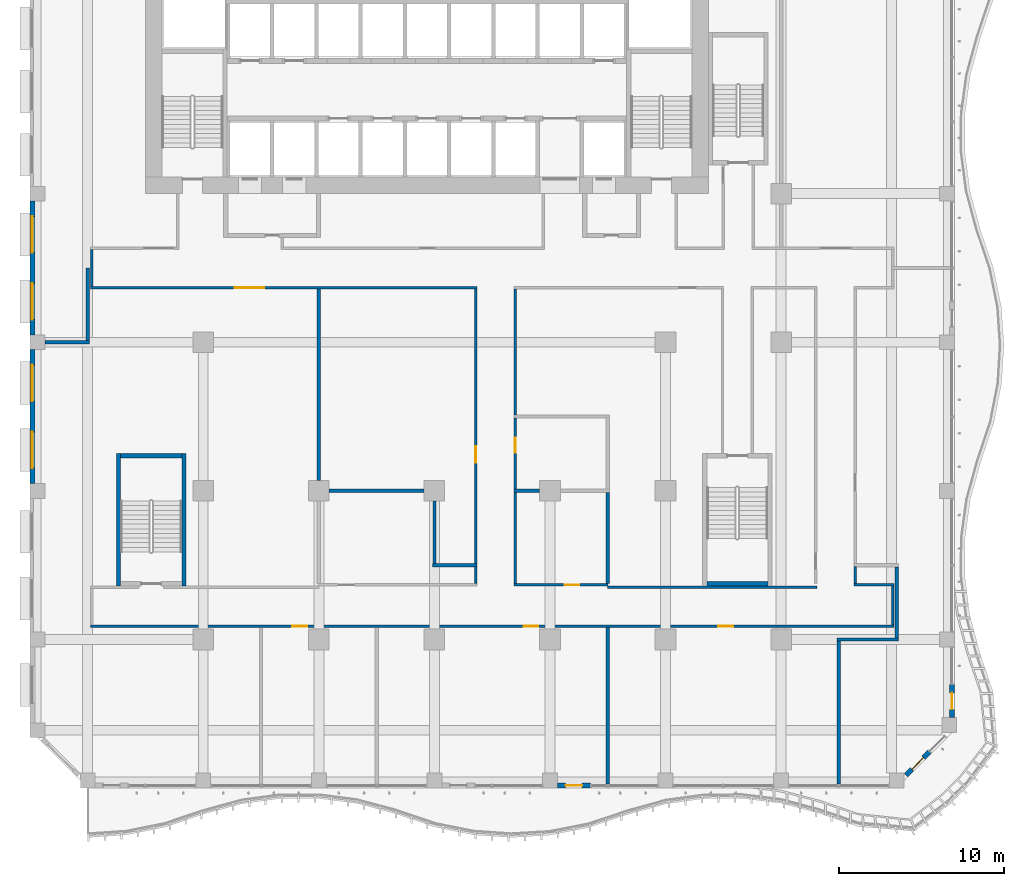
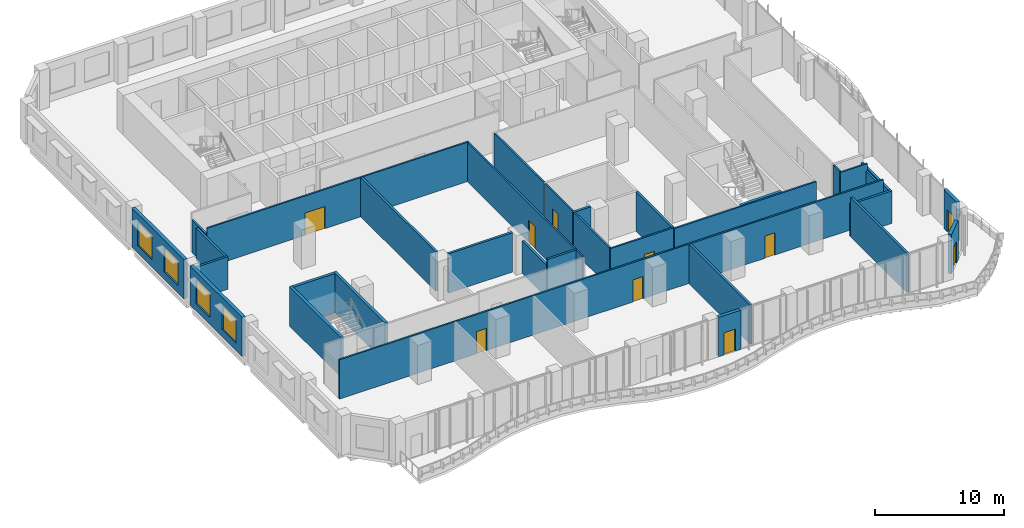
# One storey, part 12 of 26: 34 walls, 10 doors, 4 windows, 14 openings.
"""IFC4 building model written with IfcOpenShell, lengths in metres."""

from ifc_helpers import new_model, si_unit, direction, frame, frame_2d, origin, place, context, subcontext, project, spatial, rectangle, extrude, source, transform, mapped, material, layer, layer_set, type_object, element, fill, save


model = new_model("IFC4")

# Units and contexts
model_context = context("Model", 3, precision=1e-05, world=origin(), true_north=direction((0.0, 1.0)))
body_context = subcontext(model_context, "Body", "Model", "MODEL_VIEW")
ifc_project = project(units=[si_unit("LENGTHUNIT", "METRE"), si_unit("AREAUNIT", "SQUARE_METRE"), si_unit("VOLUMEUNIT", "CUBIC_METRE"), si_unit("PLANEANGLEUNIT", "RADIAN"), si_unit("MASSUNIT", "GRAM", prefix="KILO")], contexts=[model_context])

# Site, building, storey
site_placement = place(None, origin())
site = spatial("IfcSite", under=ifc_project, at=site_placement, CompositionType="ELEMENT")
building_placement = place(site_placement, origin())
building = spatial("IfcBuilding", under=site, at=building_placement, Name="Kilnfold Tower and Market Hall", CompositionType="ELEMENT")
storey_placement = place(building_placement, frame((0.0, 0.0, 83.199951171875)))
storey = spatial("IfcBuildingStorey", under=building, at=storey_placement, Name="L19", CompositionType="ELEMENT", Elevation=83.199951171875)

# Wall, openings, doors
ifc_material_1 = material(Name="Gypsum board on steel studs", Category="steel")
ifc_layer_1 = layer(ifc_material_1, 0.14990234375)
ifc_layer_set_1 = layer_set([ifc_layer_1], Name="Gypsum board on steel studs")
wall_type_1 = type_object("IfcWallType", Name="WALL CORRIDOR 150", PredefinedType="PARTITIONING", material=ifc_layer_set_1)
wall_1_placement = place(storey_placement, frame((-19.324951171875, -18.199951171875, 0.0), z_axis=(0.0, 0.0, 1.0), x_axis=(1.0, 0.0, 0.0)))
wall_1 = element("IfcWall", 1, at=wall_1_placement, inside=storey, type_object=wall_type_1, Name="Partition LY13.1", PredefinedType="PARTITIONING", context=body_context, shape_type="SweptSolid", body=[
    extrude(rectangle(XDim=48.64990234375, YDim=0.14990234375, at=frame_2d((24.324951171875, 0.0))), origin(), (0.0, 0.0, 1.0), 3.719970703125),
])
opening_1_placement = place(wall_1_placement, frame((12.220947265625, 0.0, 0.0)))
opening_1 = element("IfcOpeningElement", 2, at=opening_1_placement, cuts=wall_1, Name="Opening D3", PredefinedType="OPENING", context=body_context, shape_type="SweptSolid", body=[
    extrude(rectangle(XDim=0.89990234375, YDim=2.10009765625, at=frame_2d((0.449951171875, 1.050048828125))), frame((0.0, 0.0849609375, 0.0), z_axis=(0.0, -1.0, 0.0), x_axis=(1.0, 0.0, 0.0)), (0.0, 0.0, 1.0), 0.169921875),
])
opening_2_placement = place(wall_1_placement, frame((26.22900390625, 0.0, 0.0)))
opening_2 = element("IfcOpeningElement", 3, at=opening_2_placement, cuts=wall_1, Name="Opening D2", PredefinedType="OPENING", context=body_context, shape_type="SweptSolid", body=[
    extrude(rectangle(XDim=0.89990234375, YDim=2.10009765625, at=frame_2d((0.449951171875, 1.050048828125))), frame((0.0, 0.0849609375, 0.0), z_axis=(0.0, -1.0, 0.0), x_axis=(1.0, 0.0, 0.0)), (0.0, 0.0, 1.0), 0.169921875),
])
opening_3_placement = place(wall_1_placement, frame((38.029052734375, 0.0, 0.0)))
opening_3 = element("IfcOpeningElement", 4, at=opening_3_placement, cuts=wall_1, Name="Opening D2", PredefinedType="OPENING", context=body_context, shape_type="SweptSolid", body=[
    extrude(rectangle(XDim=0.89990234375, YDim=2.10009765625, at=frame_2d((0.449951171875, 1.050048828125))), frame((0.0, 0.0849609375, 0.0), z_axis=(0.0, -1.0, 0.0), x_axis=(1.0, 0.0, 0.0)), (0.0, 0.0, 1.0), 0.169921875),
])
ifc_material_2 = material(Name="Timber veneer door leaf in steel frame", Category="steel")
door_type_1 = type_object("IfcDoorType", Name="DOOR ROOM 900 X2100", OperationType="NOTDEFINED", PredefinedType="DOOR", material=ifc_material_2)
door_1_placement = place(opening_2_placement, origin())
door_1 = element("IfcDoor", 5, at=door_1_placement, inside=storey, type_object=door_type_1, Name="Door D2", OperationType="SINGLE_SWING_RIGHT", OverallHeight=2.10009765625, OverallWidth=0.89990234375, PredefinedType="DOOR", context=body_context, shape_type="SweptSolid", body=[
    extrude(rectangle(XDim=0.89990234375, YDim=2.10009765625, at=frame_2d((0.449951171875, 1.050048828125))), frame((0.0, 0.02490234375, 0.0), z_axis=(0.0, -1.0, 0.0), x_axis=(1.0, 0.0, 0.0)), (0.0, 0.0, 1.0), 0.050048828125),
])
fill(opening_2, door_1)
door_2_placement = place(opening_3_placement, origin())
door_2 = element("IfcDoor", 6, at=door_2_placement, inside=storey, type_object=door_type_1, Name="Door D2", OperationType="SINGLE_SWING_RIGHT", OverallHeight=2.10009765625, OverallWidth=0.89990234375, PredefinedType="DOOR", context=body_context, shape_type="SweptSolid", body=[
    extrude(rectangle(XDim=0.89990234375, YDim=2.10009765625, at=frame_2d((0.449951171875, 1.050048828125))), frame((0.0, 0.02490234375, 0.0), z_axis=(0.0, -1.0, 0.0), x_axis=(1.0, 0.0, 0.0)), (0.0, 0.0, 1.0), 0.050048828125),
])
fill(opening_3, door_2)
ifc_material_3 = material(Name="Timber veneer door leaf in steel frame", Category="steel")
door_type_2 = type_object("IfcDoorType", Name="DOOR WC 900 X2100", OperationType="NOTDEFINED", PredefinedType="DOOR", material=ifc_material_3)
door_3_placement = place(opening_1_placement, origin())
door_3 = element("IfcDoor", 7, at=door_3_placement, inside=storey, type_object=door_type_2, Name="Door D3", OperationType="SINGLE_SWING_RIGHT", OverallHeight=2.10009765625, OverallWidth=0.89990234375, PredefinedType="DOOR", context=body_context, shape_type="SweptSolid", body=[
    extrude(rectangle(XDim=0.89990234375, YDim=2.10009765625, at=frame_2d((0.449951171875, 1.050048828125))), frame((0.0, 0.02490234375, 0.0), z_axis=(0.0, -1.0, 0.0), x_axis=(1.0, 0.0, 0.0)), (0.0, 0.0, 1.0), 0.050048828125),
])
fill(opening_1, door_3)

# Wall, opening, door
wall_2_placement = place(storey_placement, frame((-19.324951171875, 2.300048828125, 0.0), z_axis=(0.0, 0.0, 1.0), x_axis=(1.0, 0.0, 0.0)))
wall_2 = element("IfcWall", 8, at=wall_2_placement, inside=storey, type_object=wall_type_1, Name="Partition LY13.5", PredefinedType="PARTITIONING", context=body_context, shape_type="SweptSolid", body=[
    extrude(rectangle(XDim=23.39990234375, YDim=0.14990234375, at=frame_2d((11.699951171875, 0.0))), origin(), (0.0, 0.0, 1.0), 3.719970703125),
])
opening_4_placement = place(wall_2_placement, frame((8.72607421875, 0.0, 0.0)))
opening_4 = element("IfcOpeningElement", 9, at=opening_4_placement, cuts=wall_2, Name="Opening D5", PredefinedType="OPENING", context=body_context, shape_type="SweptSolid", body=[
    extrude(rectangle(XDim=1.800048828125, YDim=2.10009765625, at=frame_2d((0.89990234375, 1.050048828125))), frame((0.0, 0.0849609375, 0.0), z_axis=(0.0, -1.0, 0.0), x_axis=(1.0, 0.0, 0.0)), (0.0, 0.0, 1.0), 0.169921875),
])
ifc_material_4 = material(Name="Timber veneer door leaf in steel frame", Category="steel")
door_type_3 = type_object("IfcDoorType", Name="DOOR DOUBLE 1800 X2100", OperationType="NOTDEFINED", PredefinedType="DOOR", material=ifc_material_4)
door_4_placement = place(opening_4_placement, origin())
door_4 = element("IfcDoor", 10, at=door_4_placement, inside=storey, type_object=door_type_3, Name="Door D5", OperationType="DOUBLE_DOOR_SINGLE_SWING", OverallHeight=2.10009765625, OverallWidth=1.800048828125, PredefinedType="DOOR", context=body_context, shape_type="SweptSolid", body=[
    extrude(rectangle(XDim=1.800048828125, YDim=2.10009765625, at=frame_2d((0.89990234375, 1.050048828125))), frame((0.0, 0.02490234375, 0.0), z_axis=(0.0, -1.0, 0.0), x_axis=(1.0, 0.0, 0.0)), (0.0, 0.0, 1.0), 0.050048828125),
])
fill(opening_4, door_4)

# Walls
wall_3_placement = place(storey_placement, frame((-19.25, 2.375, 0.0), z_axis=(0.0, 0.0, 1.0), x_axis=(0.0, 1.0, 0.0)))
element("IfcWall", 11, at=wall_3_placement, inside=storey, type_object=wall_type_1, Name="Partition LY13.6", PredefinedType="PARTITIONING", context=body_context, shape_type="SweptSolid", body=[
    extrude(rectangle(XDim=2.25, YDim=0.14990234375, at=frame_2d((1.125, 0.0))), origin(), (0.0, 0.0, 1.0), 3.070068359375),
])
wall_4_placement = place(storey_placement, frame((4.0, -15.625, 0.0), z_axis=(0.0, 0.0, 1.0), x_axis=(0.0, 1.0, 0.0)))
element("IfcWall", 12, at=wall_4_placement, inside=storey, type_object=wall_type_1, Name="Partition LY13.13", PredefinedType="PARTITIONING", context=body_context, shape_type="SweptSolid", body=[
    extrude(rectangle(XDim=1.034912109375, YDim=0.14990234375, at=frame_2d((0.517578125, 0.0))), origin(), (0.0, 0.0, 1.0), 3.719970703125),
])

# Wall, opening, door
wall_5_placement = place(storey_placement, frame((4.0, -14.409912109375, 0.0), z_axis=(0.0, 0.0, 1.0), x_axis=(0.0, 1.0, 0.0)))
wall_5 = element("IfcWall", 13, at=wall_5_placement, inside=storey, type_object=wall_type_1, Name="Partition LY13.14", PredefinedType="PARTITIONING", context=body_context, shape_type="SweptSolid", body=[
    extrude(rectangle(XDim=16.635009765625, YDim=0.14990234375, at=frame_2d((8.3173828125, 0.0))), origin(), (0.0, 0.0, 1.0), 3.719970703125),
])
opening_5_placement = place(wall_5_placement, frame((6.114013671875, 0.0, 0.0)))
opening_5 = element("IfcOpeningElement", 14, at=opening_5_placement, cuts=wall_5, Name="Opening D1", PredefinedType="OPENING", context=body_context, shape_type="SweptSolid", body=[
    extrude(rectangle(XDim=1.0, YDim=2.10009765625, at=frame_2d((0.5, 1.050048828125))), frame((0.0, 0.0849609375, 0.0), z_axis=(0.0, -1.0, 0.0), x_axis=(1.0, 0.0, 0.0)), (0.0, 0.0, 1.0), 0.169921875),
])
ifc_material_5 = material(Name="Timber veneer door leaf in steel frame", Category="steel")
door_type_4 = type_object("IfcDoorType", Name="DOOR ENTRY 1000 X2100", OperationType="NOTDEFINED", PredefinedType="DOOR", material=ifc_material_5)
door_5_placement = place(opening_5_placement, origin())
door_5 = element("IfcDoor", 15, at=door_5_placement, inside=storey, type_object=door_type_4, Name="Door D1", OperationType="SINGLE_SWING_RIGHT", OverallHeight=2.10009765625, OverallWidth=1.0, PredefinedType="DOOR", context=body_context, shape_type="SweptSolid", body=[
    extrude(rectangle(XDim=1.0, YDim=2.10009765625, at=frame_2d((0.5, 1.050048828125))), frame((0.0, 0.02490234375, 0.0), z_axis=(0.0, -1.0, 0.0), x_axis=(1.0, 0.0, 0.0)), (0.0, 0.0, 1.0), 0.050048828125),
])
fill(opening_5, door_5)

# Walls
wall_6_placement = place(storey_placement, frame((27.0, -15.625, 0.0), z_axis=(0.0, 0.0, 1.0), x_axis=(0.0, 1.0, 0.0)))
element("IfcWall", 16, at=wall_6_placement, inside=storey, type_object=wall_type_1, Name="Partition LY13.15", PredefinedType="PARTITIONING", context=body_context, shape_type="SweptSolid", body=[
    extrude(rectangle(XDim=1.034912109375, YDim=0.14990234375, at=frame_2d((0.517578125, 0.0))), origin(), (0.0, 0.0, 1.0), 3.719970703125),
])
wall_7_placement = place(storey_placement, frame((26.925048828125, -15.699951171875, 0.0), z_axis=(0.0, 0.0, 1.0), x_axis=(1.0, 0.0, 0.0)))
element("IfcWall", 17, at=wall_7_placement, inside=storey, type_object=wall_type_1, Name="Partition LY13.16", PredefinedType="PARTITIONING", context=body_context, shape_type="SweptSolid", body=[
    extrude(rectangle(XDim=2.39990234375, YDim=0.14990234375, at=frame_2d((1.199951171875, 0.0))), origin(), (0.0, 0.0, 1.0), 3.719970703125),
])
wall_8_placement = place(storey_placement, frame((29.25, -18.125, 0.0), z_axis=(0.0, 0.0, 1.0), x_axis=(0.0, 1.0, 0.0)))
element("IfcWall", 18, at=wall_8_placement, inside=storey, type_object=wall_type_1, Name="Partition LY13.17", PredefinedType="PARTITIONING", context=body_context, shape_type="SweptSolid", body=[
    extrude(rectangle(XDim=2.35009765625, YDim=0.14990234375, at=frame_2d((1.175048828125, 0.0))), origin(), (0.0, 0.0, 1.0), 3.070068359375),
])
wall_9_placement = place(storey_placement, frame((6.39990234375, -15.625, 0.0), z_axis=(0.0, 0.0, 1.0), x_axis=(0.0, 1.0, 0.0)))
element("IfcWall", 19, at=wall_9_placement, inside=storey, type_object=wall_type_1, Name="Partition LY13.18", PredefinedType="PARTITIONING", context=body_context, shape_type="SweptSolid", body=[
    extrude(rectangle(XDim=5.534912109375, YDim=0.14990234375, at=frame_2d((2.767578125, 0.0))), origin(), (0.0, 0.0, 1.0), 3.719970703125),
])

# Wall, opening, door
wall_10_placement = place(storey_placement, frame((6.324951171875, -15.699951171875, 0.0), z_axis=(0.0, 0.0, 1.0), x_axis=(1.0, 0.0, 0.0)))
wall_10 = element("IfcWall", 20, at=wall_10_placement, inside=storey, type_object=wall_type_1, Name="Partition LY13.19", PredefinedType="PARTITIONING", context=body_context, shape_type="SweptSolid", body=[
    extrude(rectangle(XDim=5.68505859375, YDim=0.14990234375, at=frame_2d((2.842529296875, 0.0))), origin(), (0.0, 0.0, 1.0), 3.719970703125),
])
opening_6_placement = place(wall_10_placement, frame((3.054931640625, 0.0, 0.0)))
opening_6 = element("IfcOpeningElement", 21, at=opening_6_placement, cuts=wall_10, Name="Opening D3", PredefinedType="OPENING", context=body_context, shape_type="SweptSolid", body=[
    extrude(rectangle(XDim=0.89990234375, YDim=2.10009765625, at=frame_2d((0.449951171875, 1.050048828125))), frame((0.0, 0.0849609375, 0.0), z_axis=(0.0, -1.0, 0.0), x_axis=(1.0, 0.0, 0.0)), (0.0, 0.0, 1.0), 0.169921875),
])
door_6_placement = place(opening_6_placement, origin())
door_6 = element("IfcDoor", 22, at=door_6_placement, inside=storey, type_object=door_type_2, Name="Door D3", OperationType="SINGLE_SWING_RIGHT", OverallHeight=2.10009765625, OverallWidth=0.89990234375, PredefinedType="DOOR", context=body_context, shape_type="SweptSolid", body=[
    extrude(rectangle(XDim=0.89990234375, YDim=2.10009765625, at=frame_2d((0.449951171875, 1.050048828125))), frame((0.0, 0.02490234375, 0.0), z_axis=(0.0, -1.0, 0.0), x_axis=(1.0, 0.0, 0.0)), (0.0, 0.0, 1.0), 0.050048828125),
])
fill(opening_6, door_6)

wall_11_placement = place(storey_placement, frame((6.39990234375, -9.909912109375, 0.0), z_axis=(0.0, 0.0, 1.0), x_axis=(0.0, 1.0, 0.0)))
wall_11 = element("IfcWall", 23, at=wall_11_placement, inside=storey, type_object=wall_type_1, Name="Partition LY13.20", PredefinedType="PARTITIONING", context=body_context, shape_type="SweptSolid", body=[
    extrude(rectangle(XDim=4.31982421875, YDim=0.14990234375, at=frame_2d((2.159912109375, 0.0))), origin(), (0.0, 0.0, 1.0), 3.719970703125),
])
opening_7_placement = place(wall_11_placement, frame((2.212890625, 0.0, 0.0)))
opening_7 = element("IfcOpeningElement", 24, at=opening_7_placement, cuts=wall_11, Name="Opening D2", PredefinedType="OPENING", context=body_context, shape_type="SweptSolid", body=[
    extrude(rectangle(XDim=0.89990234375, YDim=2.10009765625, at=frame_2d((0.449951171875, 1.050048828125))), frame((0.0, 0.0849609375, 0.0), z_axis=(0.0, -1.0, 0.0), x_axis=(1.0, 0.0, 0.0)), (0.0, 0.0, 1.0), 0.169921875),
])
door_7_placement = place(opening_7_placement, origin())
door_7 = element("IfcDoor", 25, at=door_7_placement, inside=storey, type_object=door_type_1, Name="Door D2", OperationType="SINGLE_SWING_LEFT", OverallHeight=2.10009765625, OverallWidth=0.89990234375, PredefinedType="DOOR", context=body_context, shape_type="SweptSolid", body=[
    extrude(rectangle(XDim=0.89990234375, YDim=2.10009765625, at=frame_2d((0.449951171875, 1.050048828125))), frame((0.0, 0.02490234375, 0.0), z_axis=(0.0, -1.0, 0.0), x_axis=(1.0, 0.0, 0.0)), (0.0, 0.0, 1.0), 0.050048828125),
])
fill(opening_7, door_7)

# Walls
wall_12_placement = place(storey_placement, frame((6.39990234375, -5.409912109375, 0.0), z_axis=(0.0, 0.0, 1.0), x_axis=(0.0, 1.0, 0.0)))
element("IfcWall", 26, at=wall_12_placement, inside=storey, type_object=wall_type_1, Name="Partition LY13.23", PredefinedType="PARTITIONING", context=body_context, shape_type="SweptSolid", body=[
    extrude(rectangle(XDim=7.635009765625, YDim=0.14990234375, at=frame_2d((3.8173828125, 0.0))), origin(), (0.0, 0.0, 1.0), 3.719970703125),
])
wall_13_placement = place(storey_placement, frame((11.989990234375, -15.824951171875, 0.0), z_axis=(0.0, 0.0, 1.0), x_axis=(1.0, 0.0, 0.0)))
element("IfcWall", 27, at=wall_13_placement, inside=storey, type_object=wall_type_1, Name="Partition LY13.24", PredefinedType="PARTITIONING", context=body_context, shape_type="SweptSolid", body=[
    extrude(rectangle(XDim=12.68505859375, YDim=0.14990234375, at=frame_2d((6.342529296875, 0.0))), origin(), (0.0, 0.0, 1.0), 3.719970703125),
])
ifc_material_6 = material(Name="Gypsum board on steel studs", Category="steel")
ifc_layer_2 = layer(ifc_material_6, 0.199951171875)
ifc_layer_set_2 = layer_set([ifc_layer_2], Name="Gypsum board on steel studs")
wall_type_2 = type_object("IfcWallType", Name="WALL PARTY 200", PredefinedType="PARTITIONING", material=ifc_layer_set_2)
wall_14_placement = place(storey_placement, frame((-19.39990234375, -1.0, 0.0), z_axis=(0.0, 0.0, 1.0), x_axis=(-1.0, 0.0, 0.0)))
element("IfcWall", 28, at=wall_14_placement, inside=storey, type_object=wall_type_2, Name="Partition LY13.37", PredefinedType="PARTITIONING", context=body_context, shape_type="SweptSolid", body=[
    extrude(rectangle(XDim=2.7001953125, YDim=0.199951171875, at=frame_2d((1.35009765625, 0.0))), origin(), (0.0, 0.0, 1.0), 3.070068359375),
])
wall_15_placement = place(storey_placement, frame((-19.5, 3.5, 0.0), z_axis=(0.0, 0.0, 1.0), x_axis=(0.0, -1.0, 0.0)))
element("IfcWall", 29, at=wall_15_placement, inside=storey, type_object=wall_type_2, Name="Partition LY13.38", PredefinedType="PARTITIONING", context=body_context, shape_type="SweptSolid", body=[
    extrude(rectangle(XDim=4.39990234375, YDim=0.199951171875, at=frame_2d((2.199951171875, 0.0))), origin(), (0.0, 0.0, 1.0), 3.070068359375),
])
wall_16_placement = place(storey_placement, frame((-5.5, -9.375, 0.0), z_axis=(0.0, 0.0, 1.0), x_axis=(0.0, 1.0, 0.0)))
element("IfcWall", 30, at=wall_16_placement, inside=storey, type_object=wall_type_2, Name="Partition LY13.41", PredefinedType="PARTITIONING", context=body_context, shape_type="SweptSolid", body=[
    extrude(rectangle(XDim=11.59912109375, YDim=0.199951171875, at=frame_2d((5.799560546875, 0.0))), origin(), (0.0, 0.0, 1.0), 3.719970703125),
])
wall_17_placement = place(storey_placement, frame((-4.875, -10.0, 0.0), z_axis=(0.0, 0.0, 1.0), x_axis=(1.0, 0.0, 0.0)))
element("IfcWall", 31, at=wall_17_placement, inside=storey, type_object=wall_type_2, Name="Partition LY13.44", PredefinedType="PARTITIONING", context=body_context, shape_type="SweptSolid", body=[
    extrude(rectangle(XDim=5.75, YDim=0.199951171875, at=frame_2d((2.875, 0.0))), origin(), (0.0, 0.0, 1.0), 3.719970703125),
])
wall_18_placement = place(storey_placement, frame((1.5, -14.39990234375, 0.0), z_axis=(0.0, 0.0, 1.0), x_axis=(0.0, 1.0, 0.0)))
element("IfcWall", 32, at=wall_18_placement, inside=storey, type_object=wall_type_2, Name="Partition LY13.45", PredefinedType="PARTITIONING", context=body_context, shape_type="SweptSolid", body=[
    extrude(rectangle(XDim=3.77490234375, YDim=0.199951171875, at=frame_2d((1.887451171875, 0.0))), origin(), (0.0, 0.0, 1.0), 3.070068359375),
])
wall_19_placement = place(storey_placement, frame((1.39990234375, -14.5, 0.0), z_axis=(0.0, 0.0, 1.0), x_axis=(1.0, 0.0, 0.0)))
element("IfcWall", 33, at=wall_19_placement, inside=storey, type_object=wall_type_2, Name="Partition LY13.46", PredefinedType="PARTITIONING", context=body_context, shape_type="SweptSolid", body=[
    extrude(rectangle(XDim=2.674072265625, YDim=0.199951171875, at=frame_2d((1.3369140625, 0.0))), origin(), (0.0, 0.0, 1.0), 3.719970703125),
])
wall_20_placement = place(storey_placement, frame((12.0, -27.75, 0.0), z_axis=(0.0, 0.0, 1.0), x_axis=(0.0, 1.0, 0.0)))
element("IfcWall", 34, at=wall_20_placement, inside=storey, type_object=wall_type_2, Name="Partition LY13.47", PredefinedType="PARTITIONING", context=body_context, shape_type="SweptSolid", body=[
    extrude(rectangle(XDim=9.47412109375, YDim=0.199951171875, at=frame_2d((4.737060546875, 0.0))), origin(), (0.0, 0.0, 1.0), 3.719970703125),
])
wall_21_placement = place(storey_placement, frame((29.5, -18.89990234375, 0.0), z_axis=(0.0, 0.0, 1.0), x_axis=(0.0, 1.0, 0.0)))
element("IfcWall", 35, at=wall_21_placement, inside=storey, type_object=wall_type_2, Name="Partition LY13.49", PredefinedType="PARTITIONING", context=body_context, shape_type="SweptSolid", body=[
    extrude(rectangle(XDim=4.2998046875, YDim=0.199951171875, at=frame_2d((2.14990234375, 0.0))), origin(), (0.0, 0.0, 1.0), 3.070068359375),
])
wall_22_placement = place(storey_placement, frame((25.89990234375, -19.0, 0.0), z_axis=(0.0, 0.0, 1.0), x_axis=(1.0, 0.0, 0.0)))
element("IfcWall", 36, at=wall_22_placement, inside=storey, type_object=wall_type_2, Name="Partition LY13.50", PredefinedType="PARTITIONING", context=body_context, shape_type="SweptSolid", body=[
    extrude(rectangle(XDim=3.7001953125, YDim=0.199951171875, at=frame_2d((1.85009765625, 0.0))), origin(), (0.0, 0.0, 1.0), 3.070068359375),
])
wall_23_placement = place(storey_placement, frame((26.0, -27.75, 0.0), z_axis=(0.0, 0.0, 1.0), x_axis=(0.0, 1.0, 0.0)))
element("IfcWall", 37, at=wall_23_placement, inside=storey, type_object=wall_type_2, Name="Partition LY13.51", PredefinedType="PARTITIONING", context=body_context, shape_type="SweptSolid", body=[
    extrude(rectangle(XDim=8.64990234375, YDim=0.199951171875, at=frame_2d((4.324951171875, 0.0))), origin(), (0.0, 0.0, 1.0), 3.719970703125),
])
wall_24_placement = place(storey_placement, frame((6.325927734375, -10.0, 0.0), z_axis=(0.0, 0.0, 1.0), x_axis=(1.0, 0.0, 0.0)))
element("IfcWall", 38, at=wall_24_placement, inside=storey, type_object=wall_type_2, Name="Partition LY13.52", PredefinedType="PARTITIONING", context=body_context, shape_type="SweptSolid", body=[
    extrude(rectangle(XDim=1.549072265625, YDim=0.199951171875, at=frame_2d((0.7744140625, 0.0))), origin(), (0.0, 0.0, 1.0), 3.719970703125),
])
wall_25_placement = place(storey_placement, frame((12.0, -15.6240234375, 0.0), z_axis=(0.0, 0.0, 1.0), x_axis=(0.0, 1.0, 0.0)))
element("IfcWall", 39, at=wall_25_placement, inside=storey, type_object=wall_type_2, Name="Partition LY13.54", PredefinedType="PARTITIONING", context=body_context, shape_type="SweptSolid", body=[
    extrude(rectangle(XDim=5.52392578125, YDim=0.199951171875, at=frame_2d((2.761962890625, 0.0))), origin(), (0.0, 0.0, 1.0), 3.719970703125),
])
ifc_material_7 = material(Name="Concrete C80", Category="concrete")
ifc_layer_3 = layer(ifc_material_7, 0.25)
ifc_layer_set_3 = layer_set([ifc_layer_3], Name="Concrete C80")
wall_type_3 = type_object("IfcWallType", Name="CORE WALL 250 C80", PredefinedType="SHEAR", material=ifc_layer_set_3)
shared_shape_1 = source(origin(), body_context, "Body", "SweptSolid", [
    extrude(rectangle(XDim=3.699951171875, YDim=0.25, at=frame_2d((1.85009765625, 0.0))), origin(), (0.0, 0.0, 1.0), 3.719970703125),
])
for number, where, z_axis, x_axis, name in (
    (40, (-17.5, -7.875, 0.0), (0.0, 0.0, 1.0), (1.0, 0.0, 0.0), "Stair enclosure ST3"),
    (41, (18.0, -15.625, 0.0), (0.0, 0.0, 1.0), (1.0, 0.0, 0.0), "Stair enclosure ST4"),
):
    element("IfcWall", number, at=place(storey_placement, frame(where, z_axis=z_axis, x_axis=x_axis)), inside=storey, type_object=wall_type_3, Name=name, PredefinedType="SHEAR", context=body_context, shape_type="MappedRepresentation", body=[
        mapped(shared_shape_1, transform((0.0, 0.0, 0.0))),
    ])
shared_shape_2 = source(origin(), body_context, "Body", "SweptSolid", [
    extrude(rectangle(XDim=8.0, YDim=0.25, at=frame_2d((4.0, 0.0))), origin(), (0.0, 0.0, 1.0), 3.719970703125),
])
for number, where, z_axis, x_axis, name in (
    (42, (-17.625, -15.75, 0.0), (0.0, 0.0, 1.0), (0.0, 1.0, 0.0), "Stair enclosure ST3"),
    (43, (-13.675048828125, -15.75, 0.0), (0.0, 0.0, 1.0), (0.0, 1.0, 0.0), "Stair enclosure ST3"),
):
    element("IfcWall", number, at=place(storey_placement, frame(where, z_axis=z_axis, x_axis=x_axis)), inside=storey, type_object=wall_type_3, Name=name, PredefinedType="SHEAR", context=body_context, shape_type="MappedRepresentation", body=[
        mapped(shared_shape_2, transform((0.0, 0.0, 0.0))),
    ])

# Wall, opening, door
ifc_material_8 = material(Name="Precast concrete C50/60", Category="concrete")
ifc_layer_4 = layer(ifc_material_8, 0.300048828125)
ifc_layer_set_4 = layer_set([ifc_layer_4], Name="Precast concrete C50/60")
wall_type_4 = type_object("IfcWallType", Name="PRECAST WALL 300", PredefinedType="SOLIDWALL", material=ifc_layer_set_4)
shared_shape_3 = source(origin(), body_context, "Body", "SweptSolid", [
    extrude(rectangle(XDim=2.0, YDim=0.300048828125, at=frame_2d((1.0, 0.0))), origin(), (0.0, 0.0, 1.0), 3.719970703125),
])
wall_26_placement = place(storey_placement, frame((8.949951171875, -27.85009765625, 0.0), z_axis=(0.0, 0.0, 1.0), x_axis=(1.0, 0.0, 0.0)))
wall_26 = element("IfcWall", 44, at=wall_26_placement, inside=storey, type_object=wall_type_4, Name="External wall L19 S", PredefinedType="SOLIDWALL", context=body_context, shape_type="MappedRepresentation", body=[
    mapped(shared_shape_3, transform((0.0, 0.0, 0.0))),
])
opening_8_placement = place(wall_26_placement, frame((0.5, 0.0, 0.0)))
opening_8 = element("IfcOpeningElement", 45, at=opening_8_placement, cuts=wall_26, Name="Opening BD1", PredefinedType="OPENING", context=body_context, shape_type="SweptSolid", body=[
    extrude(rectangle(XDim=1.0, YDim=2.10009765625, at=frame_2d((0.5, 1.050048828125))), frame((0.0, 0.16015625, 0.0), z_axis=(0.0, -1.0, 0.0), x_axis=(1.0, 0.0, 0.0)), (0.0, 0.0, 1.0), 0.320068359375),
])
ifc_material_9 = material(Name="Aluminium frame and double glazing", Category="aluminium")
door_type_5 = type_object("IfcDoorType", Name="BALCONY DOOR 1000X2100", OperationType="NOTDEFINED", PredefinedType="DOOR", material=ifc_material_9)
door_8_placement = place(opening_8_placement, origin())
door_8 = element("IfcDoor", 46, at=door_8_placement, inside=storey, type_object=door_type_5, Name="Balcony door BD1 L19 S-1", OperationType="SINGLE_SWING_LEFT", OverallHeight=2.10009765625, OverallWidth=1.0, PredefinedType="DOOR", context=body_context, shape_type="SweptSolid", body=[
    extrude(rectangle(XDim=1.0, YDim=2.10009765625, at=frame_2d((0.5, 1.050048828125))), frame((0.0, 0.02490234375, 0.0), z_axis=(0.0, -1.0, 0.0), x_axis=(1.0, 0.0, 0.0)), (0.0, 0.0, 1.0), 0.050048828125),
])
fill(opening_8, door_8)

wall_27_placement = place(storey_placement, frame((32.85009765625, -23.731689453125, 0.0), z_axis=(0.0, 0.0, 1.0), x_axis=(0.0, 1.0, 0.0)))
wall_27 = element("IfcWall", 47, at=wall_27_placement, inside=storey, type_object=wall_type_4, Name="External wall L19 E", PredefinedType="SOLIDWALL", context=body_context, shape_type="MappedRepresentation", body=[
    mapped(shared_shape_3, transform((0.0, 0.0, 0.0))),
])
opening_9_placement = place(wall_27_placement, frame((0.5, 0.0, 0.0)))
opening_9 = element("IfcOpeningElement", 48, at=opening_9_placement, cuts=wall_27, Name="Opening BD1", PredefinedType="OPENING", context=body_context, shape_type="SweptSolid", body=[
    extrude(rectangle(XDim=1.0, YDim=2.10009765625, at=frame_2d((0.5, 1.050048828125))), frame((0.0, 0.16015625, 0.0), z_axis=(0.0, -1.0, 0.0), x_axis=(1.0, 0.0, 0.0)), (0.0, 0.0, 1.0), 0.320068359375),
])
door_9_placement = place(opening_9_placement, origin())
door_9 = element("IfcDoor", 49, at=door_9_placement, inside=storey, type_object=door_type_5, Name="Balcony door BD1 L19 E-1", OperationType="SINGLE_SWING_LEFT", OverallHeight=2.10009765625, OverallWidth=1.0, PredefinedType="DOOR", context=body_context, shape_type="SweptSolid", body=[
    extrude(rectangle(XDim=1.0, YDim=2.10009765625, at=frame_2d((0.5, 1.050048828125))), frame((0.0, 0.02490234375, 0.0), z_axis=(0.0, -1.0, 0.0), x_axis=(1.0, 0.0, 0.0)), (0.0, 0.0, 1.0), 0.050048828125),
])
fill(opening_9, door_9)

shared_shape_4 = source(origin(), body_context, "Body", "SweptSolid", [
    extrude(rectangle(XDim=2.000244140625, YDim=0.300048828125, at=frame_2d((1.0, 0.0))), origin(), (0.0, 0.0, 1.0), 3.719970703125),
])
wall_28_placement = place(storey_placement, frame((30.06884765625, -27.218994140625, 0.0), z_axis=(0.0, 0.0, 1.0), x_axis=(0.707106781187, 0.707106781187, 0.0)))
wall_28 = element("IfcWall", 50, at=wall_28_placement, inside=storey, type_object=wall_type_4, Name="External wall L19 SE", PredefinedType="SOLIDWALL", context=body_context, shape_type="MappedRepresentation", body=[
    mapped(shared_shape_4, transform((0.0, 0.0, 0.0))),
])
opening_10_placement = place(wall_28_placement, frame((0.5, 0.0, 0.0)))
opening_10 = element("IfcOpeningElement", 51, at=opening_10_placement, cuts=wall_28, Name="Opening BD1", PredefinedType="OPENING", context=body_context, shape_type="SweptSolid", body=[
    extrude(rectangle(XDim=1.0, YDim=2.10009765625, at=frame_2d((0.5, 1.050048828125))), frame((0.0, 0.16015625, 0.0), z_axis=(0.0, -1.0, 0.0), x_axis=(1.0, 0.0, 0.0)), (0.0, 0.0, 1.0), 0.320068359375),
])
door_10_placement = place(opening_10_placement, origin())
door_10 = element("IfcDoor", 52, at=door_10_placement, inside=storey, type_object=door_type_5, Name="Balcony door BD1 L19 SE-1", OperationType="SINGLE_SWING_LEFT", OverallHeight=2.10009765625, OverallWidth=1.0, PredefinedType="DOOR", context=body_context, shape_type="SweptSolid", body=[
    extrude(rectangle(XDim=1.0, YDim=2.10009765625, at=frame_2d((0.5, 1.050048828125))), frame((0.0, 0.02490234375, 0.0), z_axis=(0.0, -1.0, 0.0), x_axis=(1.0, 0.0, 0.0)), (0.0, 0.0, 1.0), 0.050048828125),
])
fill(opening_10, door_10)

# Wall, openings, windows
shared_shape_5 = source(origin(), body_context, "Body", "SweptSolid", [
    extrude(rectangle(XDim=8.10009765625, YDim=0.300048828125, at=frame_2d((4.050048828125, 0.0))), origin(), (0.0, 0.0, 1.0), 3.719970703125),
])
wall_29_placement = place(storey_placement, frame((-22.85009765625, 7.550048828125, 0.0), z_axis=(0.0, 0.0, 1.0), x_axis=(0.0, -1.0, 0.0)))
wall_29 = element("IfcWall", 53, at=wall_29_placement, inside=storey, type_object=wall_type_4, Name="External wall L19 W", PredefinedType="SOLIDWALL", context=body_context, shape_type="MappedRepresentation", body=[
    mapped(shared_shape_5, transform((0.0, 0.0, 0.0))),
])
opening_11_placement = place(wall_29_placement, frame((0.925048828125, 0.0, 0.699951171875)))
opening_11 = element("IfcOpeningElement", 54, at=opening_11_placement, cuts=wall_29, Name="Opening W1", PredefinedType="OPENING", context=body_context, shape_type="SweptSolid", body=[
    extrude(rectangle(XDim=2.199951171875, YDim=2.25, at=frame_2d((1.10009765625, 1.125))), frame((0.0, 0.16015625, 0.0), z_axis=(0.0, -1.0, 0.0), x_axis=(1.0, 0.0, 0.0)), (0.0, 0.0, 1.0), 0.320068359375),
])
opening_12_placement = place(wall_29_placement, frame((4.97509765625, 0.0, 0.699951171875)))
opening_12 = element("IfcOpeningElement", 55, at=opening_12_placement, cuts=wall_29, Name="Opening W1", PredefinedType="OPENING", context=body_context, shape_type="SweptSolid", body=[
    extrude(rectangle(XDim=2.199951171875, YDim=2.25, at=frame_2d((1.10009765625, 1.125))), frame((0.0, 0.16015625, 0.0), z_axis=(0.0, -1.0, 0.0), x_axis=(1.0, 0.0, 0.0)), (0.0, 0.0, 1.0), 0.320068359375),
])
ifc_material_10 = material(Name="Aluminium frame and double glazing", Category="aluminium")
window_type = type_object("IfcWindowType", Name="WINDOW W1 2200X2250", PartitioningType="SINGLE_PANEL", PredefinedType="WINDOW", material=ifc_material_10)
window_1_placement = place(opening_11_placement, origin())
window_1 = element("IfcWindow", 56, at=window_1_placement, inside=storey, type_object=window_type, Name="Window W1 L19 W-1", OverallHeight=2.25, OverallWidth=2.199951171875, PartitioningType="SINGLE_PANEL", PredefinedType="WINDOW", context=body_context, shape_type="SweptSolid", body=[
    extrude(rectangle(XDim=2.199951171875, YDim=2.25, at=frame_2d((1.10009765625, 1.125))), frame((0.0, 0.030029296875, 0.0), z_axis=(0.0, -1.0, 0.0), x_axis=(1.0, 0.0, 0.0)), (0.0, 0.0, 1.0), 0.06005859375),
])
fill(opening_11, window_1)
window_2_placement = place(opening_12_placement, origin())
window_2 = element("IfcWindow", 57, at=window_2_placement, inside=storey, type_object=window_type, Name="Window W1 L19 W-2", OverallHeight=2.25, OverallWidth=2.199951171875, PartitioningType="SINGLE_PANEL", PredefinedType="WINDOW", context=body_context, shape_type="SweptSolid", body=[
    extrude(rectangle(XDim=2.199951171875, YDim=2.25, at=frame_2d((1.10009765625, 1.125))), frame((0.0, 0.030029296875, 0.0), z_axis=(0.0, -1.0, 0.0), x_axis=(1.0, 0.0, 0.0)), (0.0, 0.0, 1.0), 0.06005859375),
])
fill(opening_12, window_2)

wall_30_placement = place(storey_placement, frame((-22.85009765625, -1.449951171875, 0.0), z_axis=(0.0, 0.0, 1.0), x_axis=(0.0, -1.0, 0.0)))
wall_30 = element("IfcWall", 58, at=wall_30_placement, inside=storey, type_object=wall_type_4, Name="External wall L19 W", PredefinedType="SOLIDWALL", context=body_context, shape_type="MappedRepresentation", body=[
    mapped(shared_shape_5, transform((0.0, 0.0, 0.0))),
])
opening_13_placement = place(wall_30_placement, frame((0.925048828125, 0.0, 0.699951171875)))
opening_13 = element("IfcOpeningElement", 59, at=opening_13_placement, cuts=wall_30, Name="Opening W1", PredefinedType="OPENING", context=body_context, shape_type="SweptSolid", body=[
    extrude(rectangle(XDim=2.199951171875, YDim=2.25, at=frame_2d((1.10009765625, 1.125))), frame((0.0, 0.16015625, 0.0), z_axis=(0.0, -1.0, 0.0), x_axis=(1.0, 0.0, 0.0)), (0.0, 0.0, 1.0), 0.320068359375),
])
opening_14_placement = place(wall_30_placement, frame((4.97509765625, 0.0, 0.699951171875)))
opening_14 = element("IfcOpeningElement", 60, at=opening_14_placement, cuts=wall_30, Name="Opening W1", PredefinedType="OPENING", context=body_context, shape_type="SweptSolid", body=[
    extrude(rectangle(XDim=2.199951171875, YDim=2.25, at=frame_2d((1.10009765625, 1.125))), frame((0.0, 0.16015625, 0.0), z_axis=(0.0, -1.0, 0.0), x_axis=(1.0, 0.0, 0.0)), (0.0, 0.0, 1.0), 0.320068359375),
])
window_3_placement = place(opening_13_placement, origin())
window_3 = element("IfcWindow", 61, at=window_3_placement, inside=storey, type_object=window_type, Name="Window W1 L19 W-1", OverallHeight=2.25, OverallWidth=2.199951171875, PartitioningType="SINGLE_PANEL", PredefinedType="WINDOW", context=body_context, shape_type="SweptSolid", body=[
    extrude(rectangle(XDim=2.199951171875, YDim=2.25, at=frame_2d((1.10009765625, 1.125))), frame((0.0, 0.030029296875, 0.0), z_axis=(0.0, -1.0, 0.0), x_axis=(1.0, 0.0, 0.0)), (0.0, 0.0, 1.0), 0.06005859375),
])
fill(opening_13, window_3)
window_4_placement = place(opening_14_placement, origin())
window_4 = element("IfcWindow", 62, at=window_4_placement, inside=storey, type_object=window_type, Name="Window W1 L19 W-2", OverallHeight=2.25, OverallWidth=2.199951171875, PartitioningType="SINGLE_PANEL", PredefinedType="WINDOW", context=body_context, shape_type="SweptSolid", body=[
    extrude(rectangle(XDim=2.199951171875, YDim=2.25, at=frame_2d((1.10009765625, 1.125))), frame((0.0, 0.030029296875, 0.0), z_axis=(0.0, -1.0, 0.0), x_axis=(1.0, 0.0, 0.0)), (0.0, 0.0, 1.0), 0.06005859375),
])
fill(opening_14, window_4)

save(model, "model.ifc")
